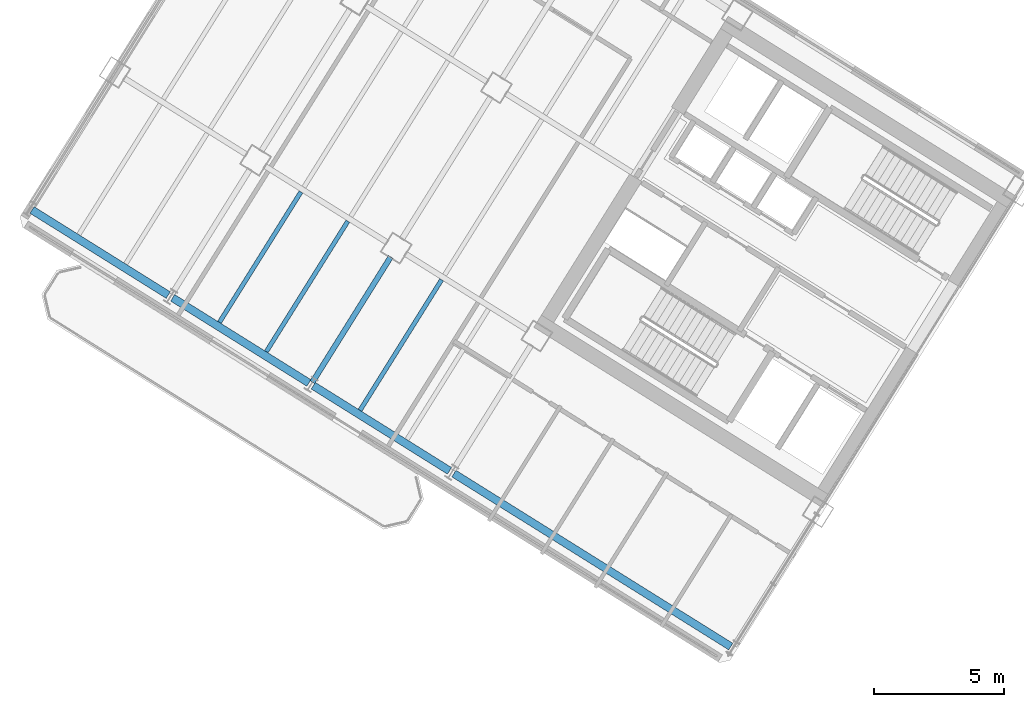
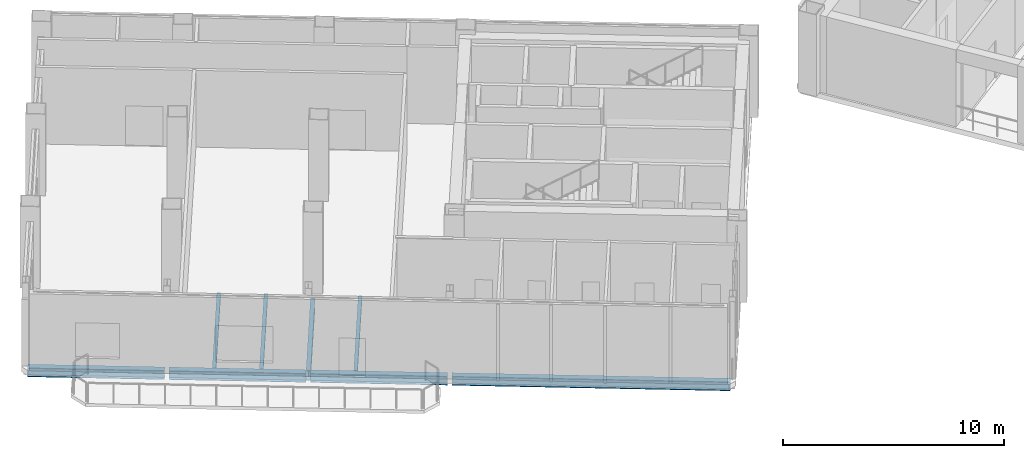
# One storey, part 5 of 18: 8 beams.
"""IFC4 building model written with IfcOpenShell, lengths in metres."""

from ifc_helpers import new_model, si_unit, direction, frame, origin, origin_2d, place, context, subcontext, project, spatial, i_section, extrude, source, transform, mapped, material, material_profile, profile_set, type_object, element, save


model = new_model("IFC4")

# Units and contexts
model_context = context("Model", 3, precision=1e-05, world=origin(), true_north=direction((0.0, 1.0)))
body_context = subcontext(model_context, "Body", "Model", "MODEL_VIEW")
ifc_project = project(units=[si_unit("LENGTHUNIT", "METRE"), si_unit("AREAUNIT", "SQUARE_METRE"), si_unit("VOLUMEUNIT", "CUBIC_METRE"), si_unit("PLANEANGLEUNIT", "RADIAN"), si_unit("MASSUNIT", "GRAM", prefix="KILO")], contexts=[model_context])

# Site, building, storey
site_placement = place(None, origin())
site = spatial("IfcSite", under=ifc_project, at=site_placement, CompositionType="ELEMENT")
building_placement = place(site_placement, origin())
building = spatial("IfcBuilding", under=site, at=building_placement, Name="Tlacorven Tower", CompositionType="ELEMENT")
storey_placement = place(building_placement, frame((0.0, 0.0, 136.199951171875)))
storey = spatial("IfcBuildingStorey", under=building, at=storey_placement, Name="L34", CompositionType="ELEMENT", Elevation=136.199951171875)

# Beams
ifc_material = material(Name="Steel S355J2", Category="steel")
ifc_material_profile_1 = material_profile(ifc_material, i_section(OverallWidth=0.300048828125, OverallDepth=0.489990234375, WebThickness=0.011962890625, FlangeThickness=0.02294921875, at=origin_2d()), Name="HEA 500")
ifc_profile_set_1 = profile_set([ifc_material_profile_1], Name="Steel S355J2")
beam_type_1 = type_object("IfcBeamType", Name="BM-SPN-500", PredefinedType="SPANDREL", material=ifc_profile_set_1)
shared_shape_1 = source(origin(), body_context, "Body", "SweptSolid", [
    extrude(i_section(OverallWidth=0.300048828125, OverallDepth=0.489990234375, WebThickness=0.011962890625, FlangeThickness=0.02294921875, at=origin_2d()), origin(), (0.0, 0.0, 1.0), 12.599853515625),
])
beam_1_placement = place(storey_placement, frame((29.67578125, 6.882080078125, -0.52490234375), z_axis=(-0.848045108756, 0.529924045043, 0.0), x_axis=(-0.529924045043, -0.848045108756, 0.0)))
element("IfcBeam", 1, at=beam_1_placement, inside=storey, type_object=beam_type_1, Name="L34 beam BM-L34-WL4-1", PredefinedType="SPANDREL", context=body_context, shape_type="MappedRepresentation", body=[
    mapped(shared_shape_1, transform((0.0, 0.0, 0.0), scale=1.0)),
])
shared_shape_2 = source(origin(), body_context, "Body", "SweptSolid", [
    extrude(i_section(OverallWidth=0.300048828125, OverallDepth=0.489990234375, WebThickness=0.011962890625, FlangeThickness=0.02294921875, at=origin_2d()), origin(), (0.0, 0.0, 1.0), 6.199951171875),
])
for number, where, z_axis, x_axis, name in (
    (2, (18.82080078125, 13.6650390625, -0.52490234375), (-0.848051394107, 0.529913986372, 0.0), (-0.529913986372, -0.848051394107, 0.0), "L34 beam BM-L34-WL4-3"),
    (3, (13.393310546875, 17.056396484375, -0.52490234375), (-0.848033697614, 0.529942306022, 0.0), (-0.529942306022, -0.848033697614, 0.0), "L34 beam BM-L34-WL4-4"),
    (4, (7.9658203125, 20.447998046875, -0.52490234375), (-0.848051394107, 0.529913986372, 0.0), (-0.529913986372, -0.848051394107, 0.0), "L34 beam BM-L34-WL4-5"),
):
    element("IfcBeam", number, at=place(storey_placement, frame(where, z_axis=z_axis, x_axis=x_axis)), inside=storey, type_object=beam_type_1, Name=name, PredefinedType="SPANDREL", context=body_context, shape_type="MappedRepresentation", body=[
        mapped(shared_shape_2, transform((0.0, 0.0, 0.0), scale=1.0)),
    ])
ifc_material_profile_2 = material_profile(ifc_material, i_section(OverallWidth=0.2099609375, OverallDepth=0.550048828125, WebThickness=0.010986328125, FlangeThickness=0.01708984375, at=origin_2d()), Name="IPE 550")
ifc_profile_set_2 = profile_set([ifc_material_profile_2], Name="Steel S355J2")
beam_type_2 = type_object("IfcBeamType", Name="BM-TWR-550", PredefinedType="BEAM", material=ifc_profile_set_2)
shared_shape_3 = source(origin(), body_context, "Body", "SweptSolid", [
    extrude(i_section(OverallWidth=0.2099609375, OverallDepth=0.550048828125, WebThickness=0.010986328125, FlangeThickness=0.01708984375, at=origin_2d()), origin(), (0.0, 0.0, 1.0), 5.7001953125),
])
beam_2_placement = place(storey_placement, frame((16.5517578125, 21.922119140625, -0.554931640625), z_axis=(-0.529937340199, -0.848036800771, 0.0), x_axis=(0.848036800771, -0.529937340199, 0.0)))
element("IfcBeam", 5, at=beam_2_placement, inside=storey, type_object=beam_type_2, Name="L34 beam BM-L34-WT4-3", PredefinedType="BEAM", context=body_context, shape_type="MappedRepresentation", body=[
    mapped(shared_shape_3, transform((0.0, 0.0, 0.0), scale=1.0)),
])
ifc_material_profile_3 = material_profile(ifc_material, i_section(OverallWidth=0.169921875, OverallDepth=0.360107421875, WebThickness=0.008056640625, FlangeThickness=0.0126953125, at=origin_2d()), Name="IPE 360")
ifc_profile_set_3 = profile_set([ifc_material_profile_3], Name="Steel S355J2")
beam_type_3 = type_object("IfcBeamType", Name="BM-JST-360", PredefinedType="JOIST", material=ifc_profile_set_3)
shared_shape_4 = source(origin(), body_context, "Body", "SweptSolid", [
    extrude(i_section(OverallWidth=0.169921875, OverallDepth=0.360107421875, WebThickness=0.008056640625, FlangeThickness=0.0126953125, at=origin_2d()), origin(), (0.0, 0.0, 1.0), 5.93505859375),
])
for number, where, z_axis, x_axis, name in (
    (6, (18.514404296875, 21.03759765625, -0.4599609375), (-0.529910194899, -0.848053763238, 0.0), (0.848053763238, -0.529910194899, 0.0), "L34 beam BM-L34-WJ3-3-2"),
    (7, (14.896240234375, 23.298583984375, -0.4599609375), (-0.529910194899, -0.848053763238, 0.0), (0.848053763238, -0.529910194899, 0.0), "L34 beam BM-L34-WJ4-3-1"),
):
    element("IfcBeam", number, at=place(storey_placement, frame(where, z_axis=z_axis, x_axis=x_axis)), inside=storey, type_object=beam_type_3, Name=name, PredefinedType="JOIST", context=body_context, shape_type="MappedRepresentation", body=[
        mapped(shared_shape_4, transform((0.0, 0.0, 0.0), scale=1.0)),
    ])
shared_shape_5 = source(origin(), body_context, "Body", "SweptSolid", [
    extrude(i_section(OverallWidth=0.169921875, OverallDepth=0.360107421875, WebThickness=0.008056640625, FlangeThickness=0.0126953125, at=origin_2d()), origin(), (0.0, 0.0, 1.0), 5.934814453125),
])
beam_3_placement = place(storey_placement, frame((13.0869140625, 24.428955078125, -0.4599609375), z_axis=(-0.52992868149, -0.848042211529, 0.0), x_axis=(0.848042211529, -0.52992868149, 0.0)))
element("IfcBeam", 8, at=beam_3_placement, inside=storey, type_object=beam_type_3, Name="L34 beam BM-L34-WJ4-3-2", PredefinedType="JOIST", context=body_context, shape_type="MappedRepresentation", body=[
    mapped(shared_shape_5, transform((0.0, 0.0, 0.0), scale=1.0)),
])

save(model, "model.ifc")
